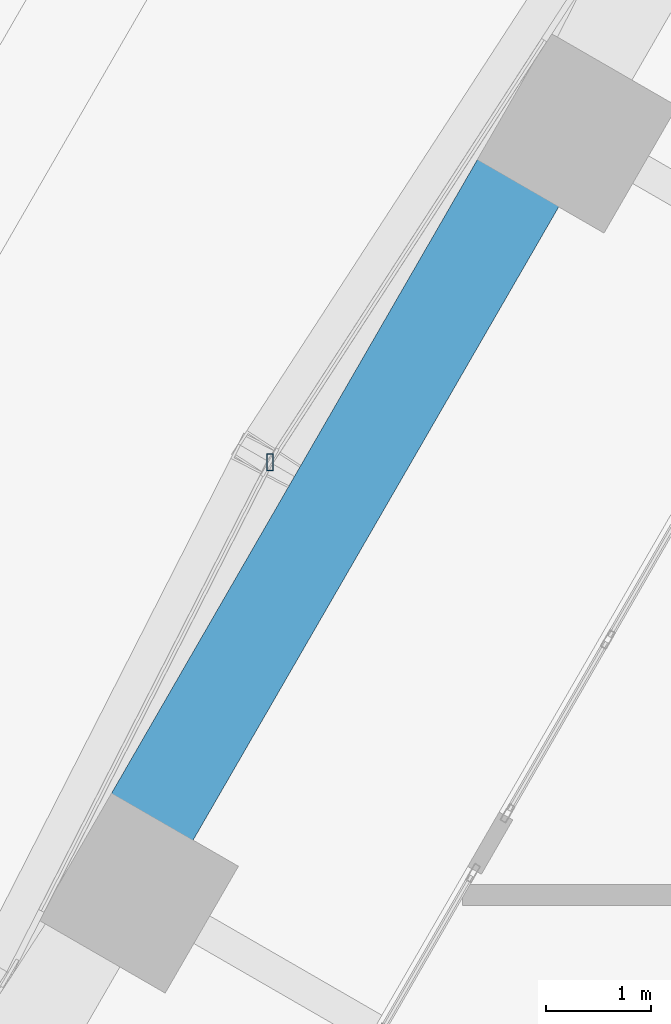
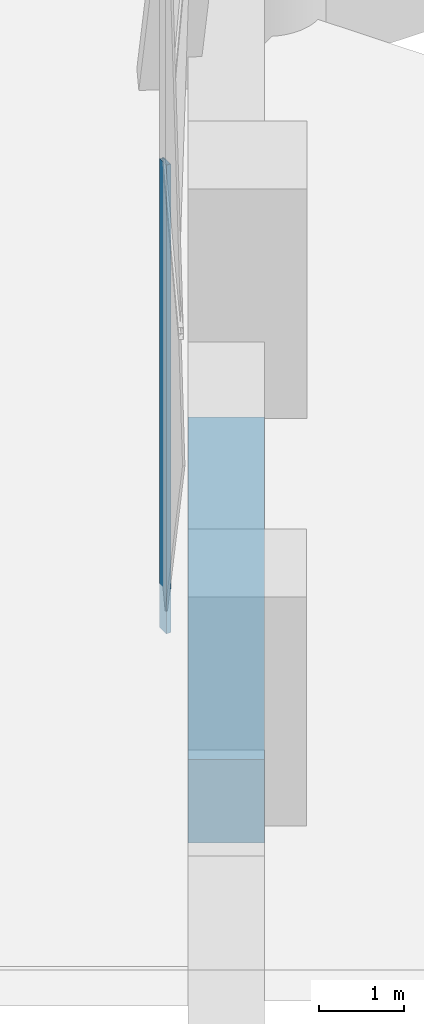
# One storey, part 25 of 71: 1 beam, 1 member, 1 element without a shape of its own.
"""IFC4 building model written with IfcOpenShell, lengths in metres."""

from ifc_helpers import new_model, si_unit, direction, frame, origin, origin_2d, place, context, subcontext, project, spatial, rectangle, hollow_rectangle, extrude, material, material_profile, profile_set, type_object, element, aggregate, save


model = new_model("IFC4")

# Units and contexts
model_context = context("Model", 3, precision=1e-05, world=origin(), true_north=direction((0.0, 1.0)))
body_context = subcontext(model_context, "Body", "Model", "MODEL_VIEW")
ifc_project = project(units=[si_unit("LENGTHUNIT", "METRE"), si_unit("AREAUNIT", "SQUARE_METRE"), si_unit("VOLUMEUNIT", "CUBIC_METRE"), si_unit("PLANEANGLEUNIT", "RADIAN"), si_unit("MASSUNIT", "GRAM", prefix="KILO")], contexts=[model_context])

# Site, building, storey
site_placement = place(None, origin())
site = spatial("IfcSite", under=ifc_project, at=site_placement, CompositionType="ELEMENT")
building_placement = place(site_placement, origin())
building = spatial("IfcBuilding", under=site, at=building_placement, Name="Ostrander Bayou Hotel Tower", CompositionType="ELEMENT")
storey_placement = place(building_placement, frame((0.0, 0.0, 10.0)))
storey = spatial("IfcBuildingStorey", under=building, at=storey_placement, Name="L02", CompositionType="ELEMENT", Elevation=10.0)

# Curtain wall, member
ifc_material_1 = material(Name="Aluminium and clear glass", Category="aluminium")
curtain_wall_type = type_object("IfcCurtainWallType", Name="CW-LAT lattice glazing", PredefinedType="NOTDEFINED", material=ifc_material_1)
curtain_wall_placement = place(storey_placement, origin())
curtain_wall = element("IfcCurtainWall", 1, at=curtain_wall_placement, inside=storey, type_object=curtain_wall_type, Name="CW-LAT L02 NW 1", PredefinedType="NOTDEFINED")
ifc_material_2 = material(Name="Aluminium", Category="aluminium")
ifc_material_profile_1 = material_profile(ifc_material_2, hollow_rectangle(XDim=0.06005859375, YDim=0.159912109375, WallThickness=0.00390625, at=origin_2d()))
ifc_profile_set_1 = profile_set([ifc_material_profile_1], Name="Aluminium")
member_type = type_object("IfcMemberType", Name="CW-LA mullion 60 x 160 mm", PredefinedType="MULLION", material=ifc_profile_set_1)
member_placement = place(storey_placement, frame((-19.11328125, 11.034912109375, -0.60009765625), z_axis=(0.0, 0.0, 1.0), x_axis=(1.0, 0.0, 0.0)))
member = element("IfcMember", 2, at=member_placement, type_object=member_type, Name="CW-LAT mullion 4", PredefinedType="MULLION", context=body_context, shape_type="SweptSolid", body=[
    extrude(hollow_rectangle(XDim=0.06005859375, YDim=0.159912109375, WallThickness=0.00390625, at=origin_2d()), origin(), (0.0, 0.0, 1.0), 6.75),
])
aggregate(curtain_wall, [member])

# Beam
ifc_material_3 = material(Name="Concrete f'c 70 MPa", Category="concrete")
ifc_material_profile_2 = material_profile(ifc_material_3, rectangle(XDim=0.89990234375, YDim=1.199951171875, at=origin_2d()))
ifc_profile_set_2 = profile_set([ifc_material_profile_2], Name="Concrete f'c 70 MPa")
beam_type = type_object("IfcBeamType", Name="SP1 spandrel beam 900 x 1200 mm f'c 70 MPa", PredefinedType="SPANDREL", material=ifc_profile_set_2)
beam_placement = place(storey_placement, frame((-16.726806640625, 13.72802734375, -0.60009765625), z_axis=(-0.499997206141, -0.866027016814, 0.0), x_axis=(0.866027016814, -0.499997206141, 0.0)))
element("IfcBeam", 3, at=beam_placement, inside=storey, type_object=beam_type, Name="SP1 L02 NW-2", PredefinedType="SPANDREL", context=body_context, shape_type="SweptSolid", body=[
    extrude(rectangle(XDim=0.89990234375, YDim=1.199951171875, at=origin_2d()), origin(), (0.0, 0.0, 1.0), 7.05078125),
])

save(model, "model.ifc")
